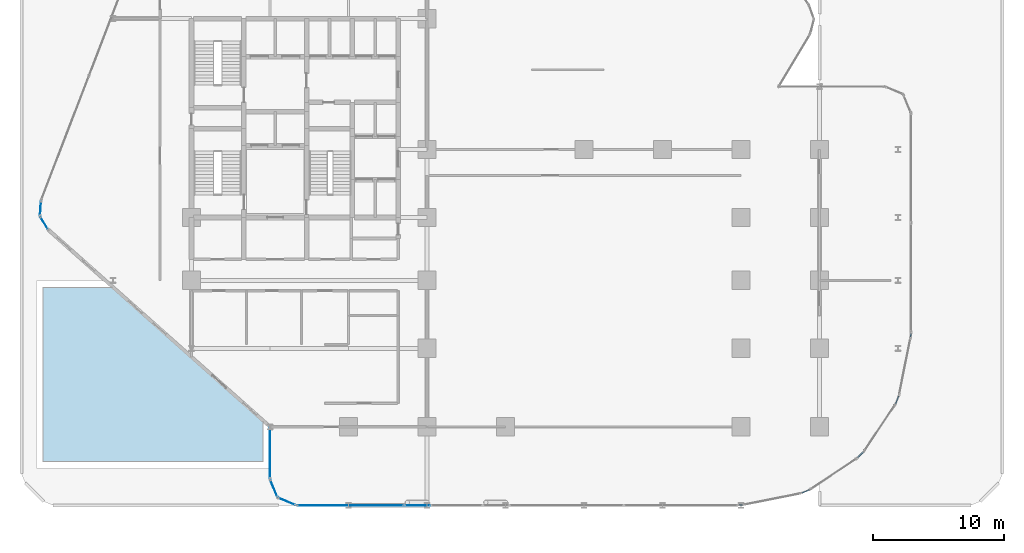
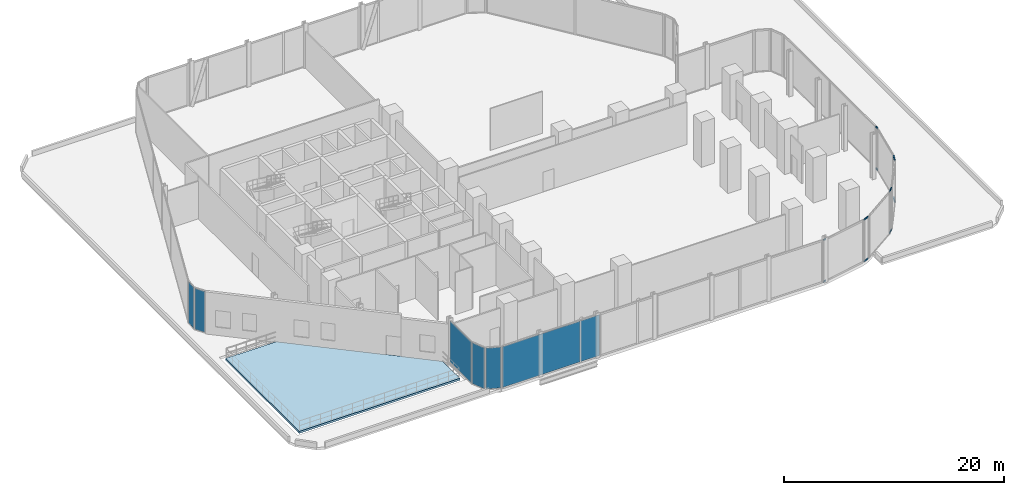
# One storey, part 17 of 29: 10 members, 7 plates, 1 slab, 12 elements without a shape of their own.
"""IFC4 building model written with IfcOpenShell, lengths in metres."""

from ifc_helpers import new_model, si_unit, direction, frame, origin, origin_2d, place, context, subcontext, project, spatial, polyline, rectangle, hollow_rectangle, outline, extrude, material, layer, layer_set, material_profile, profile_set, type_object, element, aggregate, save


model = new_model("IFC4")

# Units and contexts
model_context = context("Model", 3, precision=1e-05, world=origin(), true_north=direction((0.0, 1.0)))
body_context = subcontext(model_context, "Body", "Model", "MODEL_VIEW")
ifc_project = project(units=[si_unit("LENGTHUNIT", "METRE"), si_unit("AREAUNIT", "SQUARE_METRE"), si_unit("VOLUMEUNIT", "CUBIC_METRE"), si_unit("PLANEANGLEUNIT", "RADIAN"), si_unit("MASSUNIT", "GRAM", prefix="KILO")], contexts=[model_context])

# Site, building, storey
site_placement = place(None, origin())
site = spatial("IfcSite", under=ifc_project, at=site_placement, CompositionType="ELEMENT")
building_placement = place(site_placement, origin())
building = spatial("IfcBuilding", under=site, at=building_placement, Name="Keshet Zoharim Tower", CompositionType="ELEMENT")
storey_placement = place(building_placement, frame((0.0, 0.0, 19.0)))
storey = spatial("IfcBuildingStorey", under=building, at=storey_placement, Name="L03", CompositionType="ELEMENT", Elevation=19.0)

# Curtain wall, members
ifc_material_1 = material(Name="Aluminium 6063-T6", Category="aluminium")
ifc_layer_1 = layer(ifc_material_1, 0.169921875)
ifc_layer_set_1 = layer_set([ifc_layer_1], Name="Aluminium 6063-T6")
curtain_wall_type_1 = type_object("IfcCurtainWallType", Name="CW-SYS-02", PredefinedType="NOTDEFINED", material=ifc_layer_set_1)
curtain_wall_1_placement = place(storey_placement, origin())
curtain_wall_1 = element("IfcCurtainWall", 1, at=curtain_wall_1_placement, inside=storey, type_object=curtain_wall_type_1, Name="L03 Unitised Curtain Wall 16", PredefinedType="NOTDEFINED")
ifc_material_profile = material_profile(ifc_material_1, hollow_rectangle(XDim=0.0849609375, YDim=0.159912109375, WallThickness=0.00439453125, at=origin_2d()), Name="TRN-85x160")
ifc_profile_set = profile_set([ifc_material_profile], Name="Aluminium 6063-T6")
member_type = type_object("IfcMemberType", Name="CWT-T16", PredefinedType="USERDEFINED", material=ifc_profile_set)
member_1_placement = place(storey_placement, frame((69.9931640625, 13.827392578125, 0.034912109375), z_axis=(-0.096912647607, -0.995292890929, 0.0), x_axis=(0.995292890929, -0.096912647607, 0.0)))
member_1 = element("IfcMember", 2, at=member_1_placement, type_object=member_type, Name="CW-02 transom 1.1", ObjectType="TRANSOM", PredefinedType="USERDEFINED", context=body_context, shape_type="SweptSolid", body=[
    extrude(hollow_rectangle(XDim=0.0849609375, YDim=0.159912109375, WallThickness=0.00439453125, at=origin_2d()), origin(), (0.0, 0.0, 1.0), 0.251953125),
])
member_2_placement = place(storey_placement, frame((69.9931640625, 13.827392578125, 4.64990234375), z_axis=(-0.096912647607, -0.995292890929, 0.0), x_axis=(0.995292890929, -0.096912647607, 0.0)))
member_2 = element("IfcMember", 3, at=member_2_placement, type_object=member_type, Name="CW-02 transom 1.2", ObjectType="TRANSOM", PredefinedType="USERDEFINED", context=body_context, shape_type="SweptSolid", body=[
    extrude(hollow_rectangle(XDim=0.0849609375, YDim=0.159912109375, WallThickness=0.00439453125, at=origin_2d()), origin(), (0.0, 0.0, 1.0), 0.251953125),
])
aggregate(curtain_wall_1, [member_1, member_2])

ifc_layer_2 = layer(ifc_material_1, 0.179931640625)
ifc_layer_set_2 = layer_set([ifc_layer_2], Name="Aluminium 6063-T6")
curtain_wall_type_2 = type_object("IfcCurtainWallType", Name="CW-SYS-01", PredefinedType="NOTDEFINED", material=ifc_layer_set_2)
curtain_wall_2_placement = place(storey_placement, origin())
curtain_wall_2 = element("IfcCurtainWall", 4, at=curtain_wall_2_placement, inside=storey, type_object=curtain_wall_type_2, Name="L03 Unitised Curtain Wall 18", PredefinedType="NOTDEFINED")
member_3_placement = place(storey_placement, frame((69.061279296875, 9.05029296875, 0.034912109375), z_axis=(-0.383126096215, -0.923696050874, 0.0), x_axis=(0.923696050874, -0.383126096215, 0.0)))
member_3 = element("IfcMember", 5, at=member_3_placement, type_object=member_type, Name="CW-01 transom 1.1", ObjectType="TRANSOM", PredefinedType="USERDEFINED", context=body_context, shape_type="SweptSolid", body=[
    extrude(hollow_rectangle(XDim=0.0849609375, YDim=0.159912109375, WallThickness=0.00439453125, at=origin_2d()), origin(), (0.0, 0.0, 1.0), 0.640380859375),
])
member_4_placement = place(storey_placement, frame((69.061279296875, 9.05029296875, 4.64990234375), z_axis=(-0.383126096215, -0.923696050874, 0.0), x_axis=(0.923696050874, -0.383126096215, 0.0)))
member_4 = element("IfcMember", 6, at=member_4_placement, type_object=member_type, Name="CW-01 transom 1.2", ObjectType="TRANSOM", PredefinedType="USERDEFINED", context=body_context, shape_type="SweptSolid", body=[
    extrude(hollow_rectangle(XDim=0.0849609375, YDim=0.159912109375, WallThickness=0.00439453125, at=origin_2d()), origin(), (0.0, 0.0, 1.0), 0.640380859375),
])
aggregate(curtain_wall_2, [member_3, member_4])

curtain_wall_3_placement = place(storey_placement, origin())
curtain_wall_3 = element("IfcCurtainWall", 7, at=curtain_wall_3_placement, inside=storey, type_object=curtain_wall_type_2, Name="L03 Unitised Curtain Wall 20", PredefinedType="NOTDEFINED")
member_5_placement = place(storey_placement, frame((66.363525390625, 4.78857421875, 0.034912109375), z_axis=(-0.707106781187, -0.707106781187, 0.0), x_axis=(0.707106781187, -0.707106781187, 0.0)))
member_5 = element("IfcMember", 8, at=member_5_placement, type_object=member_type, Name="CW-01 transom 1.1", ObjectType="TRANSOM", PredefinedType="USERDEFINED", context=body_context, shape_type="SweptSolid", body=[
    extrude(hollow_rectangle(XDim=0.0849609375, YDim=0.159912109375, WallThickness=0.00439453125, at=origin_2d()), origin(), (0.0, 0.0, 1.0), 0.639404296875),
])
member_6_placement = place(storey_placement, frame((66.363525390625, 4.78857421875, 4.64990234375), z_axis=(-0.707106781187, -0.707106781187, 0.0), x_axis=(0.707106781187, -0.707106781187, 0.0)))
member_6 = element("IfcMember", 9, at=member_6_placement, type_object=member_type, Name="CW-01 transom 1.2", ObjectType="TRANSOM", PredefinedType="USERDEFINED", context=body_context, shape_type="SweptSolid", body=[
    extrude(hollow_rectangle(XDim=0.0849609375, YDim=0.159912109375, WallThickness=0.00439453125, at=origin_2d()), origin(), (0.0, 0.0, 1.0), 0.639404296875),
])
aggregate(curtain_wall_3, [member_5, member_6])

curtain_wall_4_placement = place(storey_placement, origin())
curtain_wall_4 = element("IfcCurtainWall", 10, at=curtain_wall_4_placement, inside=storey, type_object=curtain_wall_type_2, Name="L03 Unitised Curtain Wall 22", PredefinedType="NOTDEFINED")
member_7_placement = place(storey_placement, frame((62.241455078125, 1.88427734375, 0.034912109375), z_axis=(-0.923751978938, -0.382991228891, 0.0), x_axis=(0.382991228891, -0.923751978938, 0.0)))
member_7 = element("IfcMember", 11, at=member_7_placement, type_object=member_type, Name="CW-01 transom 1.1", ObjectType="TRANSOM", PredefinedType="USERDEFINED", context=body_context, shape_type="SweptSolid", body=[
    extrude(hollow_rectangle(XDim=0.0849609375, YDim=0.159912109375, WallThickness=0.00439453125, at=origin_2d()), origin(), (0.0, 0.0, 1.0), 0.640625),
])
member_8_placement = place(storey_placement, frame((62.241455078125, 1.88427734375, 4.64990234375), z_axis=(-0.923751978938, -0.382991228891, 0.0), x_axis=(0.382991228891, -0.923751978938, 0.0)))
member_8 = element("IfcMember", 12, at=member_8_placement, type_object=member_type, Name="CW-01 transom 1.2", ObjectType="TRANSOM", PredefinedType="USERDEFINED", context=body_context, shape_type="SweptSolid", body=[
    extrude(hollow_rectangle(XDim=0.0849609375, YDim=0.159912109375, WallThickness=0.00439453125, at=origin_2d()), origin(), (0.0, 0.0, 1.0), 0.640625),
])
aggregate(curtain_wall_4, [member_7, member_8])

curtain_wall_5_placement = place(storey_placement, origin())
curtain_wall_5 = element("IfcCurtainWall", 13, at=curtain_wall_5_placement, inside=storey, type_object=curtain_wall_type_2, Name="L03 Unitised Curtain Wall 24", PredefinedType="NOTDEFINED")
member_9_placement = place(storey_placement, frame((57.123291015625, 0.731201171875, 0.034912109375), z_axis=(-0.995292890929, -0.096912647607, 0.0), x_axis=(0.096912647607, -0.995292890929, 0.0)))
member_9 = element("IfcMember", 14, at=member_9_placement, type_object=member_type, Name="CW-01 transom 1.1", ObjectType="TRANSOM", PredefinedType="USERDEFINED", context=body_context, shape_type="SweptSolid", body=[
    extrude(hollow_rectangle(XDim=0.0849609375, YDim=0.159912109375, WallThickness=0.00439453125, at=origin_2d()), origin(), (0.0, 0.0, 1.0), 0.251953125),
])
member_10_placement = place(storey_placement, frame((57.123291015625, 0.731201171875, 4.64990234375), z_axis=(-0.995292890929, -0.096912647607, 0.0), x_axis=(0.096912647607, -0.995292890929, 0.0)))
member_10 = element("IfcMember", 15, at=member_10_placement, type_object=member_type, Name="CW-01 transom 1.2", ObjectType="TRANSOM", PredefinedType="USERDEFINED", context=body_context, shape_type="SweptSolid", body=[
    extrude(hollow_rectangle(XDim=0.0849609375, YDim=0.159912109375, WallThickness=0.00439453125, at=origin_2d()), origin(), (0.0, 0.0, 1.0), 0.251953125),
])
aggregate(curtain_wall_5, [member_9, member_10])

# Curtain wall, plate
curtain_wall_6_placement = place(storey_placement, origin())
curtain_wall_6 = element("IfcCurtainWall", 16, at=curtain_wall_6_placement, inside=storey, type_object=curtain_wall_type_2, Name="L03 Unitised Curtain Wall 01", PredefinedType="NOTDEFINED")
ifc_material_2 = material(Name="Insulated Low-E Clear Glass", Category="glass")
ifc_layer_3 = layer(ifc_material_2, 0.035888671875)
ifc_layer_set_3 = layer_set([ifc_layer_3], Name="Insulated Low-E Clear Glass")
plate_type_1 = type_object("IfcPlateType", Name="CWP-01", PredefinedType="CURTAIN_PANEL", material=ifc_layer_set_3)
plate_1_placement = place(storey_placement, frame((3.7275390625, 22.291015625, 0.070068359375), z_axis=(0.0, 0.0, 1.0), x_axis=(-0.515604947933, 0.856826433805, 0.0)))
plate_1 = element("IfcPlate", 17, at=plate_1_placement, type_object=plate_type_1, Name="CW-01 panel 1.1", PredefinedType="CURTAIN_PANEL", context=body_context, shape_type="SweptSolid", body=[
    extrude(rectangle(XDim=1.052734375, YDim=0.035888671875, at=origin_2d()), origin(), (0.0, 0.0, 1.0), 4.544921875),
])
aggregate(curtain_wall_6, [plate_1])

curtain_wall_7_placement = place(storey_placement, origin())
curtain_wall_7 = element("IfcCurtainWall", 18, at=curtain_wall_7_placement, inside=storey, type_object=curtain_wall_type_2, Name="L03 Unitised Curtain Wall 02", PredefinedType="NOTDEFINED")
plate_2_placement = place(storey_placement, frame((3.45849609375, 23.3974609375, 0.070068359375), z_axis=(0.0, 0.0, 1.0), x_axis=(0.064516859374, 0.997916617186, 0.0)))
plate_2 = element("IfcPlate", 19, at=plate_2_placement, type_object=plate_type_1, Name="CW-01 panel 1.1", PredefinedType="CURTAIN_PANEL", context=body_context, shape_type="SweptSolid", body=[
    extrude(rectangle(XDim=1.053466796875, YDim=0.035888671875, at=origin_2d()), origin(), (0.0, 0.0, 1.0), 4.544921875),
])
aggregate(curtain_wall_7, [plate_2])

curtain_wall_8_placement = place(storey_placement, origin())
curtain_wall_8 = element("IfcCurtainWall", 20, at=curtain_wall_8_placement, inside=storey, type_object=curtain_wall_type_2, Name="L03 Unitised Curtain Wall 25 Part 5", PredefinedType="NOTDEFINED")
plate_3_placement = place(storey_placement, frame((27.150390625, 0.699951171875, 0.070068359375), z_axis=(0.0, 0.0, 1.0), x_axis=(-1.0, 0.0, 0.0)))
plate_3 = element("IfcPlate", 21, at=plate_3_placement, type_object=plate_type_1, Name="CW-01 panel 1.1", PredefinedType="CURTAIN_PANEL", context=body_context, shape_type="SweptSolid", body=[
    extrude(rectangle(XDim=8.16064453125, YDim=0.035888671875, at=origin_2d()), origin(), (0.0, 0.0, 1.0), 4.544921875),
])
aggregate(curtain_wall_8, [plate_3])

curtain_wall_9_placement = place(storey_placement, origin())
curtain_wall_9 = element("IfcCurtainWall", 22, at=curtain_wall_9_placement, inside=storey, type_object=curtain_wall_type_2, Name="L03 Unitised Curtain Wall 26", PredefinedType="NOTDEFINED")
plate_4_placement = place(storey_placement, frame((22.29296875, 0.992919921875, 0.070068359375), z_axis=(0.0, 0.0, 1.0), x_axis=(-0.92380975372, 0.382851849847, 0.0)))
plate_4 = element("IfcPlate", 23, at=plate_4_placement, type_object=plate_type_1, Name="CW-01 panel 1.1", PredefinedType="CURTAIN_PANEL", context=body_context, shape_type="SweptSolid", body=[
    extrude(rectangle(XDim=1.390625, YDim=0.035888671875, at=origin_2d()), origin(), (0.0, 0.0, 1.0), 4.544921875),
])
aggregate(curtain_wall_9, [plate_4])

curtain_wall_10_placement = place(storey_placement, origin())
curtain_wall_10 = element("IfcCurtainWall", 24, at=curtain_wall_10_placement, inside=storey, type_object=curtain_wall_type_2, Name="L03 Unitised Curtain Wall 27", PredefinedType="NOTDEFINED")
plate_5_placement = place(storey_placement, frame((21.29296875, 1.992919921875, 0.070068359375), z_axis=(0.0, 0.0, 1.0), x_axis=(-0.382851849847, 0.92380975372, 0.0)))
plate_5 = element("IfcPlate", 25, at=plate_5_placement, type_object=plate_type_1, Name="CW-01 panel 1.1", PredefinedType="CURTAIN_PANEL", context=body_context, shape_type="SweptSolid", body=[
    extrude(rectangle(XDim=1.390625, YDim=0.035888671875, at=origin_2d()), origin(), (0.0, 0.0, 1.0), 4.544921875),
])
aggregate(curtain_wall_10, [plate_5])

curtain_wall_11_placement = place(storey_placement, origin())
curtain_wall_11 = element("IfcCurtainWall", 26, at=curtain_wall_11_placement, inside=storey, type_object=curtain_wall_type_2, Name="L03 Unitised Curtain Wall 28", PredefinedType="NOTDEFINED")
plate_6_placement = place(storey_placement, frame((21.0, 4.699951171875, 0.070068359375), z_axis=(0.0, 0.0, 1.0), x_axis=(0.0, 1.0, 0.0)))
plate_6 = element("IfcPlate", 27, at=plate_6_placement, type_object=plate_type_1, Name="CW-01 panel 1.1", PredefinedType="CURTAIN_PANEL", context=body_context, shape_type="SweptSolid", body=[
    extrude(rectangle(XDim=3.860107421875, YDim=0.035888671875, at=origin_2d()), origin(), (0.0, 0.0, 1.0), 4.544921875),
])
aggregate(curtain_wall_11, [plate_6])

curtain_wall_12_placement = place(storey_placement, origin())
curtain_wall_12 = element("IfcCurtainWall", 28, at=curtain_wall_12_placement, inside=storey, type_object=curtain_wall_type_2, Name="L03 Unitised Curtain Wall 25 Part 4", PredefinedType="NOTDEFINED")
ifc_material_3 = material(Name="Insulated Aluminium Spandrel Panel", Category="aluminium")
ifc_layer_4 = layer(ifc_material_3, 0.035888671875)
ifc_layer_set_4 = layer_set([ifc_layer_4], Name="Insulated Aluminium Spandrel Panel")
plate_type_2 = type_object("IfcPlateType", Name="CWP-04", PredefinedType="CURTAIN_PANEL", material=ifc_layer_set_4)
plate_7_placement = place(storey_placement, frame((32.284912109375, 0.699951171875, 0.070068359375), z_axis=(0.0, 0.0, 1.0), x_axis=(-1.0, 0.0, 0.0)))
plate_7 = element("IfcPlate", 29, at=plate_7_placement, type_object=plate_type_2, Name="CW-01 spandrel panel 1.1", PredefinedType="CURTAIN_PANEL", context=body_context, shape_type="SweptSolid", body=[
    extrude(rectangle(XDim=1.968505859375, YDim=0.035888671875, at=origin_2d()), origin(), (0.0, 0.0, 1.0), 4.544921875),
])
aggregate(curtain_wall_12, [plate_7])

# Slab
ifc_material_4 = material(Name="Concrete C50/60", Category="concrete")
ifc_layer_5 = layer(ifc_material_4, 0.219970703125)
ifc_layer_set_5 = layer_set([ifc_layer_5], Name="Concrete C50/60")
slab_type = type_object("IfcSlabType", Name="SLB-TER-220", PredefinedType="ROOF", material=ifc_layer_set_5)
slab_placement = place(storey_placement, frame((0.0, 0.0, -0.219970703125)))
element("IfcSlab", 30, at=slab_placement, inside=storey, type_object=slab_type, Name="L03 Podium South-West Roof Terrace Slab", PredefinedType="ROOF", context=body_context, shape_type="SweptSolid", body=[
    extrude(outline(polyline([(8.962890625, 17.39990234375), (20.5, 7.14404296875), (20.5, 4.0), (3.60009765625, 4.0), (3.60009765625, 17.39990234375), (8.962890625, 17.39990234375)])), origin(), (0.0, 0.0, 1.0), 0.219970703125),
])

save(model, "model.ifc")
